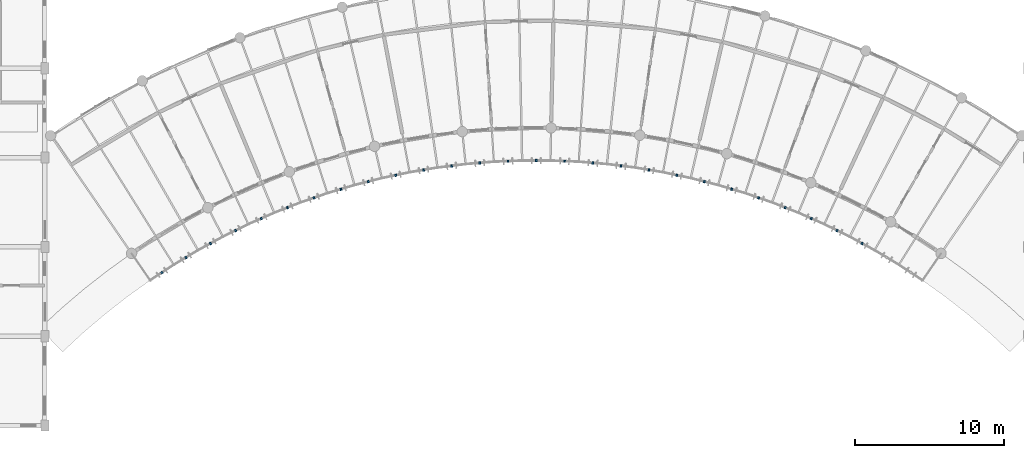
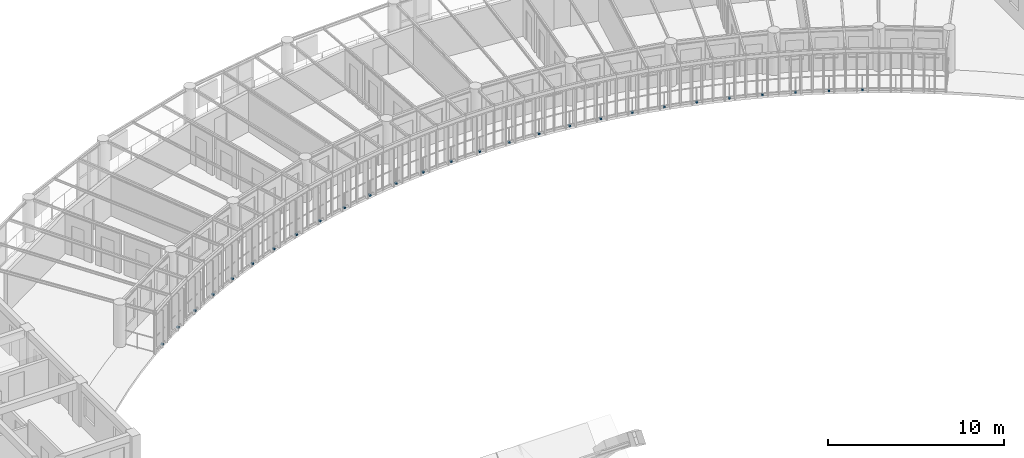
# One storey, part 107 of 123: 27 discrete accessories.
"""IFC4 building model written with IfcOpenShell, lengths in metres."""

from ifc_helpers import new_model, si_unit, direction, frame, origin, origin_2d, place, context, subcontext, project, spatial, rectangle, extrude, material, type_object, element, save


model = new_model("IFC4")

# Units and contexts
model_context = context("Model", 3, precision=1e-05, world=origin(), true_north=direction((0.0, 1.0)))
body_context = subcontext(model_context, "Body", "Model", "MODEL_VIEW")
ifc_project = project(units=[si_unit("LENGTHUNIT", "METRE"), si_unit("AREAUNIT", "SQUARE_METRE"), si_unit("VOLUMEUNIT", "CUBIC_METRE"), si_unit("PLANEANGLEUNIT", "RADIAN"), si_unit("MASSUNIT", "GRAM", prefix="KILO"), si_unit("POWERUNIT", "WATT"), si_unit("THERMODYNAMICTEMPERATUREUNIT", "KELVIN")], contexts=[model_context])

# Site, building, storey
site_placement = place(None, origin())
site = spatial("IfcSite", under=ifc_project, at=site_placement, CompositionType="ELEMENT")
building_placement = place(site_placement, origin())
building = spatial("IfcBuilding", under=site, at=building_placement, Name="Ruvembo Vaulted Housing Court", CompositionType="ELEMENT")
storey_placement = place(building_placement, frame((0.0, 0.0, 7.699951171875)))
storey = spatial("IfcBuildingStorey", under=building, at=storey_placement, Name="L02", CompositionType="ELEMENT", Elevation=7.699951171875)

# Discrete accessories
ifc_material = material(Name="Stainless Steel Grade 316", Category="steel")
discrete_accessory_type = type_object("IfcDiscreteAccessoryType", Name="ACC-BRACKET-SS", PredefinedType="BRACKET", material=ifc_material)
for number, where, z_axis, x_axis, name in (
    (1, (91.862060546875, 88.27294921875, 0.030029296875), (0.0, 0.0, 1.0), (0.548964466299, -0.835845688355, 0.0), "Stainless Louvre Rail Bracket #265"),
    (2, (93.471923828125, 89.283203125, 0.030029296875), (0.0, 0.0, 1.0), (0.513825768915, -0.857894561819, 0.0), "Stainless Louvre Rail Bracket #266"),
    (3, (95.122314453125, 90.2255859375, 0.030029296875), (0.0, 0.0, 1.0), (0.477787506376, -0.878475440038, 0.0), "Stainless Louvre Rail Bracket #267"),
    (4, (96.810546875, 91.098876953125, 0.030029296875), (0.0, 0.0, 1.0), (0.440910671447, -0.897550990086, 0.0), "Stainless Louvre Rail Bracket #268"),
    (5, (98.533447265625, 91.9013671875, 0.030029296875), (0.0, 0.0, 1.0), (0.403305746645, -0.915065284405, 0.0), "Stainless Louvre Rail Bracket #269"),
    (6, (100.288330078125, 92.631591796875, 0.030029296875), (0.0, 0.0, 1.0), (0.364958032896, -0.931023970811, 0.0), "Stainless Louvre Rail Bracket #270"),
    (7, (102.07177734375, 93.288330078125, 0.030029296875), (0.0, 0.0, 1.0), (0.326030183107, -0.945359360087, 0.0), "Stainless Louvre Rail Bracket #271"),
    (8, (103.881103515625, 93.87060546875, 0.030029296875), (0.0, 0.0, 1.0), (0.2864911095, -0.958082900472, 0.0), "Stainless Louvre Rail Bracket #272"),
    (9, (105.712890625, 94.377197265625, 0.030029296875), (0.0, 0.0, 1.0), (0.246491603437, -0.969144926951, 0.0), "Stainless Louvre Rail Bracket #273"),
    (10, (107.564208984375, 94.807373046875, 0.030029296875), (0.0, 0.0, 1.0), (0.206101715045, -0.978530573388, 0.0), "Stainless Louvre Rail Bracket #274"),
    (11, (109.431640625, 95.160400390625, 0.030029296875), (0.0, 0.0, 1.0), (0.165271382715, -0.986248128037, 0.0), "Stainless Louvre Rail Bracket #275"),
    (12, (111.3125, 95.435546875, 0.030029296875), (0.0, 0.0, 1.0), (0.12419031657, -0.992258416578, 0.0), "Stainless Louvre Rail Bracket #276"),
    (13, (113.202880859375, 95.63232421875, 0.030029296875), (0.0, 0.0, 1.0), (0.082895173943, -0.996558272324, 0.0), "Stainless Louvre Rail Bracket #277"),
    (14, (115.099853515625, 95.750732421875, 0.030029296875), (0.0, 0.0, 1.0), (0.041509453281, -0.999138111218, 0.0), "Stainless Louvre Rail Bracket #278"),
    (15, (117.0, 95.7900390625, 0.030029296875), (0.0, 0.0, 1.0), (0.0, -1.0, 0.0), "Stainless Louvre Rail Bracket #279"),
    (16, (118.900146484375, 95.750732421875, 0.030029296875), (0.0, 0.0, 1.0), (-0.041509453281, -0.999138111218, 0.0), "Stainless Louvre Rail Bracket #280"),
    (17, (120.797119140625, 95.63232421875, 0.030029296875), (0.0, 0.0, 1.0), (-0.082895173943, -0.996558272324, 0.0), "Stainless Louvre Rail Bracket #281"),
    (18, (122.6875, 95.435546875, 0.030029296875), (0.0, 0.0, 1.0), (-0.12419031657, -0.992258416578, 0.0), "Stainless Louvre Rail Bracket #282"),
    (19, (124.568359375, 95.160400390625, 0.030029296875), (0.0, 0.0, 1.0), (-0.165271382715, -0.986248128037, 0.0), "Stainless Louvre Rail Bracket #283"),
    (20, (126.435791015625, 94.807373046875, 0.030029296875), (0.0, 0.0, 1.0), (-0.206101715045, -0.978530573388, 0.0), "Stainless Louvre Rail Bracket #284"),
    (21, (128.287109375, 94.377197265625, 0.030029296875), (0.0, 0.0, 1.0), (-0.246491603437, -0.969144926951, 0.0), "Stainless Louvre Rail Bracket #285"),
    (22, (130.118896484375, 93.87060546875, 0.030029296875), (0.0, 0.0, 1.0), (-0.2864911095, -0.958082900472, 0.0), "Stainless Louvre Rail Bracket #286"),
    (23, (131.92822265625, 93.288330078125, 0.030029296875), (0.0, 0.0, 1.0), (-0.326030183107, -0.945359360087, 0.0), "Stainless Louvre Rail Bracket #287"),
    (24, (133.711669921875, 92.631591796875, 0.030029296875), (0.0, 0.0, 1.0), (-0.364958032896, -0.931023970811, 0.0), "Stainless Louvre Rail Bracket #288"),
    (25, (135.466552734375, 91.9013671875, 0.030029296875), (0.0, 0.0, 1.0), (-0.403305746645, -0.915065284405, 0.0), "Stainless Louvre Rail Bracket #289"),
    (26, (137.189453125, 91.098876953125, 0.030029296875), (0.0, 0.0, 1.0), (-0.440910671447, -0.897550990086, 0.0), "Stainless Louvre Rail Bracket #290"),
    (27, (138.877685546875, 90.2255859375, 0.030029296875), (0.0, 0.0, 1.0), (-0.477787506376, -0.878475440038, 0.0), "Stainless Louvre Rail Bracket #291"),
):
    element("IfcDiscreteAccessory", number, at=place(storey_placement, frame(where, z_axis=z_axis, x_axis=x_axis)), inside=storey, type_object=discrete_accessory_type, Name=name, PredefinedType="BRACKET", context=body_context, shape_type="SweptSolid", body=[
        extrude(rectangle(XDim=0.159912109375, YDim=0.1201171875, at=origin_2d()), origin(), (0.0, 0.0, 1.0), 0.10009765625),
    ])

save(model, "model.ifc")
